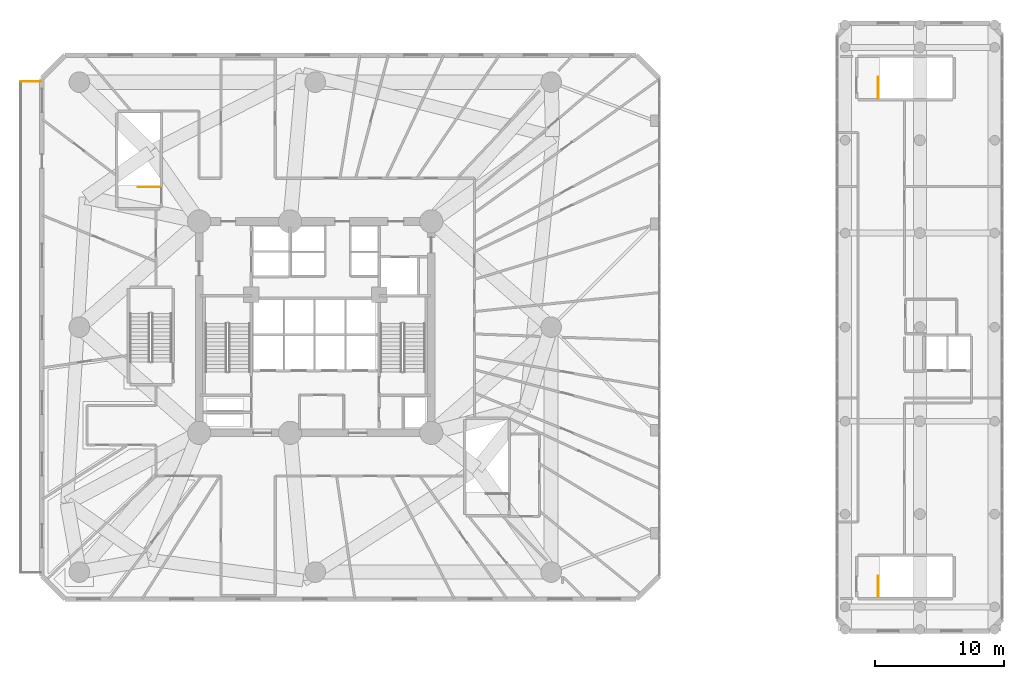
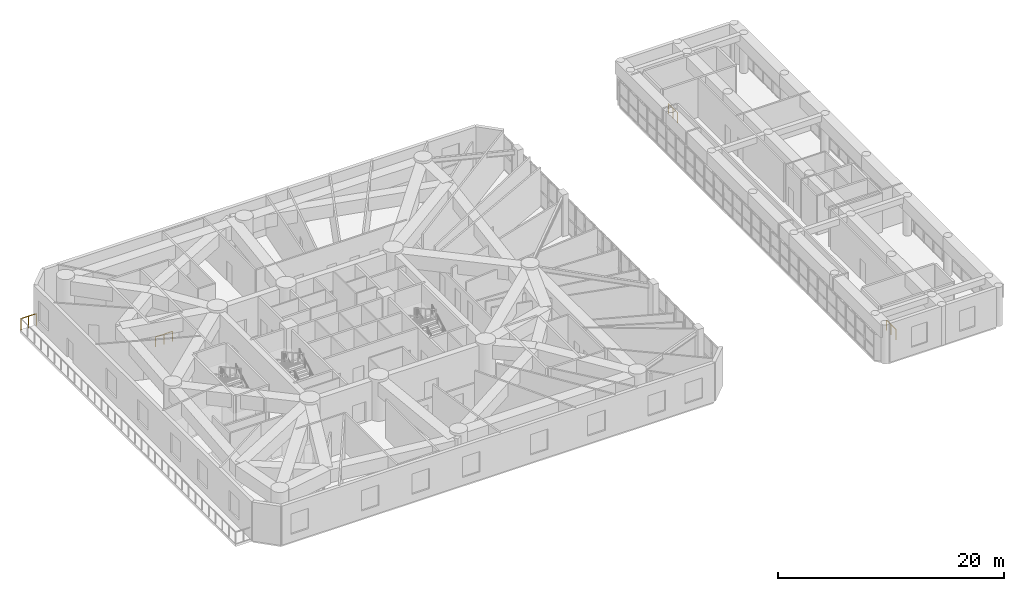
# One storey, part 22 of 22: 4 railings.
"""IFC4 building model written with IfcOpenShell, lengths in metres."""

from ifc_helpers import new_model, si_unit, direction, frame, origin, origin_2d, place, context, subcontext, project, spatial, circle, extrude, material, layer, layer_set, type_object, element, save


model = new_model("IFC4")

# Units and contexts
model_context = context("Model", 3, precision=1e-05, world=origin(), true_north=direction((0.0, 1.0)))
body_context = subcontext(model_context, "Body", "Model", "MODEL_VIEW")
ifc_project = project(units=[si_unit("LENGTHUNIT", "METRE"), si_unit("AREAUNIT", "SQUARE_METRE"), si_unit("VOLUMEUNIT", "CUBIC_METRE"), si_unit("PLANEANGLEUNIT", "RADIAN"), si_unit("MASSUNIT", "GRAM", prefix="KILO")], contexts=[model_context])

# Site, building, storey
site_placement = place(None, origin())
site = spatial("IfcSite", under=ifc_project, at=site_placement, CompositionType="ELEMENT")
building_placement = place(site_placement, origin())
building = spatial("IfcBuilding", under=site, at=building_placement, Name="Karkom Vertical University and Central Library", CompositionType="ELEMENT")
storey_placement = place(building_placement, frame((0.0, 0.0, 18.0)))
storey = spatial("IfcBuildingStorey", under=building, at=storey_placement, Name="L04", CompositionType="ELEMENT", Elevation=18.0)

# Railings
ifc_material_1 = material(Name="Architectural painted steel & laminated glass balustrade", Category="steel")
ifc_layer_1 = layer(ifc_material_1, 0.090087890625)
ifc_layer_set_1 = layer_set([ifc_layer_1], Name="Architectural painted steel & laminated glass balustrade")
railing_type_1 = type_object("IfcRailingType", Name="ENV-RL-BAL1300", PredefinedType="BALUSTRADE", material=ifc_layer_set_1)
railing_1_placement = place(storey_placement, frame((5.659912109375, 45.5400390625, 0.0)))
element("IfcRailing", 1, at=railing_1_placement, inside=storey, type_object=railing_type_1, Name="Level 04 Planted Terrace Safety Balustrade 02", PredefinedType="BALUSTRADE", context=body_context, shape_type="SweptSolid", body=[
    extrude(circle(Radius=0.02392578125, at=origin_2d()), frame((0.0, 0.0, 1.27587890625), z_axis=(1.0, 0.0, 0.0), x_axis=(0.0, 1.0, 0.0)), (0.0, 0.0, 1.0), 1.580078125),
    extrude(circle(Radius=0.02099609375, at=origin_2d()), origin(), (0.0, 0.0, 1.0), 1.251953125),
    extrude(circle(Radius=0.02099609375, at=origin_2d()), frame((0.7900390625, 0.0, 0.0)), (0.0, 0.0, 1.0), 1.251953125),
    extrude(circle(Radius=0.02099609375, at=origin_2d()), frame((1.580078125, 0.0, 0.0)), (0.0, 0.0, 1.0), 1.251953125),
])
ifc_material_2 = material(Name="Painted galvanised steel balustrade", Category="steel")
ifc_layer_2 = layer(ifc_material_2, 0.06005859375)
ifc_layer_set_2 = layer_set([ifc_layer_2], Name="Painted galvanised steel balustrade")
railing_type_2 = type_object("IfcRailingType", Name="INT-RL-GUARD1100", PredefinedType="GUARDRAIL", material=ifc_layer_set_2)
railing_2_placement = place(storey_placement, frame((16.4599609375, 37.3798828125, 0.0)))
element("IfcRailing", 2, at=railing_2_placement, inside=storey, type_object=railing_type_2, Name="Level 04 POD-ST2 top well guard 1", PredefinedType="GUARDRAIL", context=body_context, shape_type="SweptSolid", body=[
    extrude(circle(Radius=0.02392578125, at=origin_2d()), frame((0.0, 0.0, 1.076171875), z_axis=(-1.0, 0.0, 0.0), x_axis=(0.0, -1.0, 0.0)), (0.0, 0.0, 1.0), 1.7099609375),
    extrude(circle(Radius=0.02099609375, at=origin_2d()), origin(), (0.0, 0.0, 1.0), 1.052001953125),
    extrude(circle(Radius=0.02099609375, at=origin_2d()), frame((-0.85498046875, 0.0, 0.0)), (0.0, 0.0, 1.0), 1.052001953125),
    extrude(circle(Radius=0.02099609375, at=origin_2d()), frame((-1.7099609375, 0.0, 0.0)), (0.0, 0.0, 1.0), 1.052001953125),
])
for number, where, name in (
    (3, (72.14990234375, 5.550048828125, 0.0), "Level 04 LIB-ST1 top well guard 1"),
    (4, (72.14990234375, 44.25, 0.0), "Level 04 LIB-ST2 top well guard 1"),
):
    element("IfcRailing", number, at=place(storey_placement, frame(where)), inside=storey, type_object=railing_type_2, Name=name, PredefinedType="GUARDRAIL", context=body_context, shape_type="SweptSolid", body=[
        extrude(circle(Radius=0.02392578125, at=origin_2d()), frame((0.0, 0.0, 1.076171875), z_axis=(0.0, 1.0, 0.0), x_axis=(-1.0, 0.0, 0.0)), (0.0, 0.0, 1.0), 1.659912109375),
        extrude(circle(Radius=0.02099609375, at=origin_2d()), origin(), (0.0, 0.0, 1.0), 1.052001953125),
        extrude(circle(Radius=0.02099609375, at=origin_2d()), frame((0.0, 0.830078125, 0.0)), (0.0, 0.0, 1.0), 1.052001953125),
        extrude(circle(Radius=0.02099609375, at=origin_2d()), frame((0.0, 1.659912109375, 0.0)), (0.0, 0.0, 1.0), 1.052001953125),
    ])

save(model, "model.ifc")
